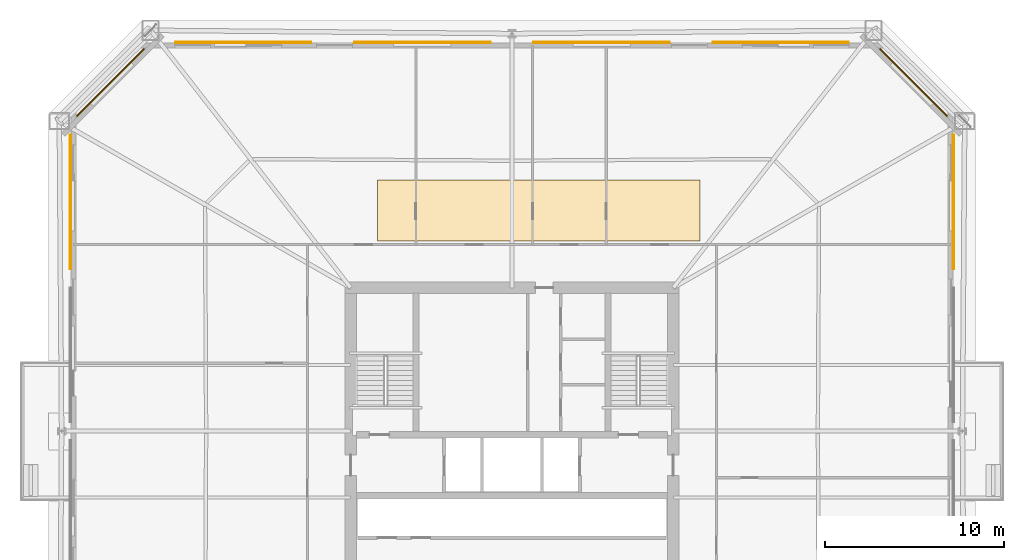
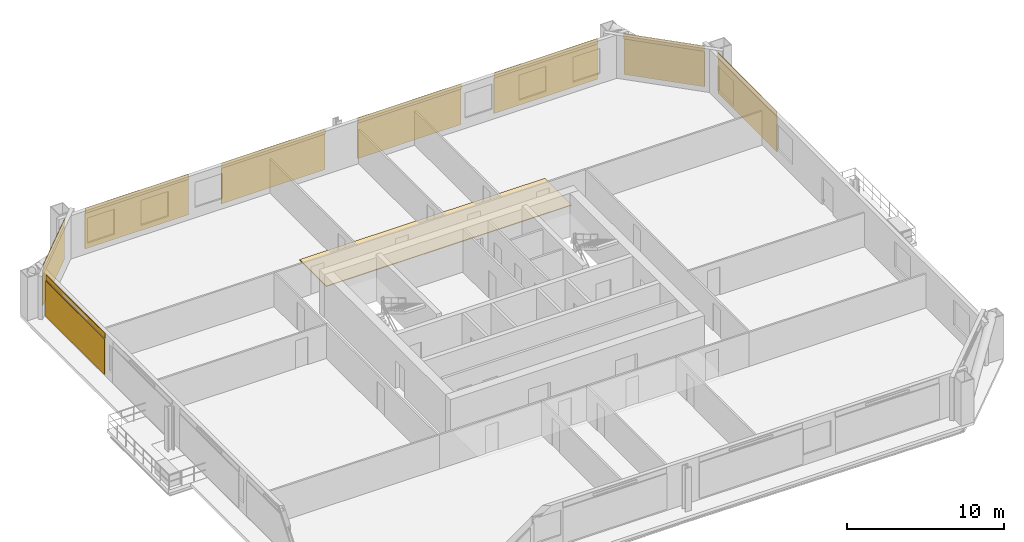
# One storey, part 11 of 11: 9 coverings, 8 shading devices.
"""IFC4 building model written with IfcOpenShell, lengths in metres."""

import ifcopenshell
import ifcopenshell.guid

model = None  # the IFC model being written
_history = None  # IfcOwnerHistory: only IFC2X3 demands one
_inside = {}  # id of a spatial element -> (the spatial element, [elements in it])
_under = {}  # id of a project, library or spatial element -> (it, [spatial elements below it])
_declared = {}  # id of a project -> (the project, [libraries it declares])
_typed = {}  # id of a type object -> (the type object, [elements of that type])
_made_of = {}  # id of a material, layer set ... -> (it, [elements and type objects made of it])


def new_model(schema):
    """Start an empty IFC model of exactly this schema.

    Asked for "IFC4X3", IfcOpenShell would pick the latest addendum, in which some entities
    have other attributes; the version numbers below select the first issue.
    IFC2X3 requires an IfcOwnerHistory on every rooted entity: one is made here for all.
    """
    global model, _history
    if schema == "IFC4X3":
        model = ifcopenshell.file(schema_version=(4, 3, 0, 0))
    else:
        model = ifcopenshell.file(schema=schema)
    _inside.clear()
    _under.clear()
    _declared.clear()
    _typed.clear()
    _made_of.clear()
    _history = None
    if model.schema == "IFC2X3":
        org = make("IfcOrganization", Name="unknown")
        user = make(
            "IfcPersonAndOrganization",
            ThePerson=make("IfcPerson", FamilyName="unknown"),
            TheOrganization=org,
        )
        app = make(
            "IfcApplication",
            ApplicationDeveloper=org,
            Version="unknown",
            ApplicationFullName="unknown",
            ApplicationIdentifier="unknown",
        )
        _history = make(
            "IfcOwnerHistory",
            OwningUser=user,
            OwningApplication=app,
            ChangeAction="ADDED",
            CreationDate=0,
        )
    return model


def make(cls, **values):
    """One entity of the class cls with the attributes given. An attribute that is None is left unset."""
    return model.create_entity(
        cls, **{name: value for name, value in values.items() if value is not None}
    )


def rooted(cls, **values):
    """An entity with a GlobalId (a new one), such as an element, a storey or a relation."""
    return make(cls, GlobalId=ifcopenshell.guid.new(), OwnerHistory=_history, **values)


def si_unit(unit_type, name, prefix=None):
    """IfcSIUnit, for example si_unit("LENGTHUNIT", "METRE", prefix="MILLI")."""
    return make("IfcSIUnit", UnitType=unit_type, Prefix=prefix, Name=name)


def assignment(units):
    """IfcUnitAssignment: the units of a project."""
    return None if units is None else make("IfcUnitAssignment", Units=units)


def point(xyz):
    """IfcCartesianPoint."""
    return None if xyz is None else make("IfcCartesianPoint", Coordinates=xyz)


def direction(xyz):
    """IfcDirection."""
    return None if xyz is None else make("IfcDirection", DirectionRatios=xyz)


def frame(location, z_axis=None, x_axis=None):
    """IfcAxis2Placement3D, a coordinate frame: its origin and axes. An axis left out is left unset."""
    return make(
        "IfcAxis2Placement3D",
        Location=point(location),
        Axis=direction(z_axis),
        RefDirection=direction(x_axis),
    )


def frame_2d(location, x_axis=None):
    """IfcAxis2Placement2D, a coordinate frame in the plane: its origin and x axis."""
    return make(
        "IfcAxis2Placement2D", Location=point(location), RefDirection=direction(x_axis)
    )


def origin():
    """The frame at (0, 0, 0) with its axes left unset."""
    return frame((0.0, 0.0, 0.0))


def origin_2d():
    """The frame at (0, 0) in the plane with its x axis left unset."""
    return frame_2d((0.0, 0.0))


def place(relative_to, where):
    """IfcLocalPlacement: puts the frame where relative to a parent placement (None: the world)."""
    return make(
        "IfcLocalPlacement", PlacementRelTo=relative_to, RelativePlacement=where
    )


def context(
    kind, dimensions, precision=None, world=None, true_north=None, identifier=None
):
    """IfcGeometricRepresentationContext, for example the 3D "Model" context."""
    return make(
        "IfcGeometricRepresentationContext",
        ContextIdentifier=identifier,
        ContextType=kind,
        CoordinateSpaceDimension=dimensions,
        Precision=precision,
        WorldCoordinateSystem=world,
        TrueNorth=true_north,
    )


def subcontext(parent, identifier, kind, view, scale=None):
    """IfcGeometricRepresentationSubContext, for example "Body" below "Model"."""
    return make(
        "IfcGeometricRepresentationSubContext",
        ContextIdentifier=identifier,
        ContextType=kind,
        ParentContext=parent,
        TargetScale=scale,
        TargetView=view,
    )


def project(units=None, contexts=None):
    """IfcProject with its units and contexts."""
    return rooted(
        "IfcProject",
        Name="project",
        RepresentationContexts=contexts,
        UnitsInContext=assignment(units),
    )


def spatial(cls, under=None, at=None, **own):
    """A site, building, storey or space (cls), placed at a placement, below another one or the project."""
    s = rooted(cls, ObjectPlacement=at, **own)
    if under is not None:
        _under.setdefault(under.id(), (under, []))[1].append(s)
    return s


def polyline(points):
    """IfcPolyline through the points."""
    return make("IfcPolyline", Points=[point(p) for p in points])


def profile(cls, at=None, kind="AREA", **sizes):
    """A parametric profile (cls). Its sizes go by their IFC names, for example OverallWidth=200.0."""
    return make(cls, ProfileType=kind, Position=at, **sizes)


def rectangle(**sizes):
    """IfcRectangleProfileDef."""
    return profile("IfcRectangleProfileDef", **sizes)


def outline(outer, holes=None, kind="AREA"):
    """IfcArbitraryClosedProfileDef: a profile drawn as a closed curve; with holes, ...WithVoids."""
    if holes is None:
        return make("IfcArbitraryClosedProfileDef", ProfileType=kind, OuterCurve=outer)
    return make(
        "IfcArbitraryProfileDefWithVoids",
        ProfileType=kind,
        OuterCurve=outer,
        InnerCurves=holes,
    )


def extrude(swept, where, along, depth):
    """IfcExtrudedAreaSolid: the profile swept, set in the frame where, extruded along a direction by depth."""
    return make(
        "IfcExtrudedAreaSolid",
        SweptArea=swept,
        Position=where,
        ExtrudedDirection=direction(along),
        Depth=depth,
    )


def shape(context_of_items, identifier, shape_type, items):
    """IfcShapeRepresentation: the items that make up one representation, for example the "Body"."""
    return make(
        "IfcShapeRepresentation",
        ContextOfItems=context_of_items,
        RepresentationIdentifier=identifier,
        RepresentationType=shape_type,
        Items=items,
    )


def material(Name=None, Category=None):
    """IfcMaterial."""
    return make("IfcMaterial", Name=Name, Category=Category)


def layer(
    of_material, thickness, ventilated=None, Name=None, Category=None, Priority=None
):
    """IfcMaterialLayer: one layer of a wall or slab, of a material (None: an air gap)."""
    return make(
        "IfcMaterialLayer",
        Material=of_material,
        LayerThickness=thickness,
        IsVentilated=ventilated,
        Name=Name,
        Category=Category,
        Priority=Priority,
    )


def layer_set(layers, Name=None):
    """IfcMaterialLayerSet."""
    return make("IfcMaterialLayerSet", MaterialLayers=layers, LayerSetName=Name)


def made_of(thing, what):
    """Note that an element or type object is made of a material, layer set ...; save() writes the relation."""
    if what is not None:
        _made_of.setdefault(what.id(), (what, []))[1].append(thing)
    return thing


def type_object(cls, material=None, **own):
    """A type object (cls), such as IfcWallType, which elements share."""
    return made_of(rooted(cls, **own), material)


def element(
    cls,
    number,
    at=None,
    inside=None,
    cuts=None,
    type_object=None,
    material=None,
    context=None,
    identifier="Body",
    shape_type=None,
    held_by="IfcProductDefinitionShape",
    body=None,
    shapes=None,
    **own,
):
    """One element of the class cls, such as IfcWall. Its Tag is "e" and its number.

    at: its placement. inside: the storey or other place that contains it. cuts: it is an
    opening in that element (IfcRelVoidsElement). A single representation is given by context,
    identifier, shape_type and body (its items); several are given by shapes. held_by: the class
    of the entity that holds the representations. save() writes the other relations.
    """
    e = rooted(cls, Tag="e%d" % number, ObjectPlacement=at, **own)
    if body is not None:
        shapes = [shape(context, identifier, shape_type, body)]
    if shapes is not None:
        e.Representation = make(held_by, Representations=shapes)
    if inside is not None:
        _inside.setdefault(inside.id(), (inside, []))[1].append(e)
    if cuts is not None:
        rooted(
            "IfcRelVoidsElement", RelatingBuildingElement=cuts, RelatedOpeningElement=e
        )
    if type_object is not None:
        _typed.setdefault(type_object.id(), (type_object, []))[1].append(e)
    return made_of(e, material)


def aggregate(whole, parts):
    """IfcRelAggregates: a whole, such as a stair, and the parts it consists of."""
    return rooted("IfcRelAggregates", RelatingObject=whole, RelatedObjects=parts)


def save(model, path):
    """Write the relations noted so far, then the file.

    IfcRelAggregates (storeys below a building ...), IfcRelContainedInSpatialStructure (elements
    in a storey), IfcRelDefinesByType, IfcRelAssociatesMaterial and IfcRelDeclares: one each for
    every whole, place, type object, material and project.
    """
    for whole, parts in _under.values():
        aggregate(whole, parts)
    for where, things in _inside.values():
        rooted(
            "IfcRelContainedInSpatialStructure",
            RelatedElements=things,
            RelatingStructure=where,
        )
    for kind, things in _typed.values():
        rooted("IfcRelDefinesByType", RelatedObjects=things, RelatingType=kind)
    for what, things in _made_of.values():
        rooted("IfcRelAssociatesMaterial", RelatedObjects=things, RelatingMaterial=what)
    for by, libraries in _declared.values():
        rooted("IfcRelDeclares", RelatingContext=by, RelatedDefinitions=libraries)
    model.write(path)


model = new_model("IFC4")

# Units and contexts
model_context = context("Model", 3, precision=1e-05, world=origin(), true_north=direction((0.0, 1.0)))
body_context = subcontext(model_context, "Body", "Model", "MODEL_VIEW")
ifc_project = project(units=[si_unit("LENGTHUNIT", "METRE"), si_unit("AREAUNIT", "SQUARE_METRE"), si_unit("VOLUMEUNIT", "CUBIC_METRE"), si_unit("PLANEANGLEUNIT", "RADIAN"), si_unit("MASSUNIT", "GRAM", prefix="KILO")], contexts=[model_context])

# Site, building, storey
site_placement = place(None, origin())
site = spatial("IfcSite", under=ifc_project, at=site_placement, CompositionType="ELEMENT")
building_placement = place(site_placement, origin())
building = spatial("IfcBuilding", under=site, at=building_placement, Name="Caelvoria Tower", CompositionType="ELEMENT")
storey_placement = place(building_placement, frame((0.0, 0.0, 64.0)))
storey = spatial("IfcBuildingStorey", under=building, at=storey_placement, Name="L16", CompositionType="ELEMENT", Elevation=64.0)

# Coverings
ifc_material_1 = material(Name="Perforated Architectural Bronze Cladding Screen", Category="bronze")
ifc_layer_1 = layer(ifc_material_1, 0.0400390625, Name="Perforated Architectural Bronze Cladding Screen")
ifc_layer_set_1 = layer_set([ifc_layer_1], Name="Perforated Bronze Louvre Cladding Band 40 - Perforated Architectural Bronze Cladding Screen")
covering_type_1 = type_object("IfcCoveringType", Name="Perforated Bronze Louvre Cladding Band 40", PredefinedType="CLADDING", material=ifc_layer_set_1)
covering_1_placement = place(storey_placement, frame((70.6220703125, 44.780029296875, 2.93994140625), z_axis=(0.0, 0.0, 1.0), x_axis=(0.0, 1.0, 0.0)))
element("IfcCovering", 1, at=covering_1_placement, inside=storey, type_object=covering_type_1, Name="Perforated Bronze Screen Band L16-E2-03", PredefinedType="CLADDING", context=body_context, shape_type="SweptSolid", body=[
    extrude(rectangle(XDim=7.49755859375, YDim=0.0400390625, at=origin_2d()), origin(), (0.0, 0.0, 1.0), 0.39990234375),
])
covering_2_placement = place(storey_placement, frame((68.381591796875, 51.431640625, 2.93994140625), z_axis=(0.0, 0.0, 1.0), x_axis=(-0.707106781187, 0.707106781187, 0.0)))
element("IfcCovering", 2, at=covering_2_placement, inside=storey, type_object=covering_type_1, Name="Perforated Bronze Screen Band L16-E3-00", PredefinedType="CLADDING", context=body_context, shape_type="SweptSolid", body=[
    extrude(rectangle(XDim=5.309814453125, YDim=0.0400390625, at=origin_2d()), origin(), (0.0, 0.0, 1.0), 0.39990234375),
])
for number, where, z_axis, x_axis, name in (
    (3, (60.992431640625, 53.672119140625, 2.93994140625), (0.0, 0.0, 1.0), (-1.0, 0.0, 0.0), "Perforated Bronze Screen Band L16-E4-00"),
    (4, (50.99755859375, 53.672119140625, 2.93994140625), (0.0, 0.0, 1.0), (-1.0, 0.0, 0.0), "Perforated Bronze Screen Band L16-E4-01"),
    (5, (41.00244140625, 53.672119140625, 2.93994140625), (0.0, 0.0, 1.0), (-1.0, 0.0, 0.0), "Perforated Bronze Screen Band L16-E4-02"),
    (6, (31.007568359375, 53.672119140625, 2.93994140625), (0.0, 0.0, 1.0), (-1.0, 0.0, 0.0), "Perforated Bronze Screen Band L16-E4-03"),
):
    element("IfcCovering", number, at=place(storey_placement, frame(where, z_axis=z_axis, x_axis=x_axis)), inside=storey, type_object=covering_type_1, Name=name, PredefinedType="CLADDING", context=body_context, shape_type="SweptSolid", body=[
        extrude(rectangle(XDim=7.60009765625, YDim=0.0400390625, at=origin_2d()), origin(), (0.0, 0.0, 1.0), 0.39990234375),
    ])
covering_3_placement = place(storey_placement, frame((23.618408203125, 51.431640625, 2.93994140625), z_axis=(0.0, 0.0, 1.0), x_axis=(-0.707106781187, -0.707106781187, 0.0)))
element("IfcCovering", 7, at=covering_3_placement, inside=storey, type_object=covering_type_1, Name="Perforated Bronze Screen Band L16-E5-00", PredefinedType="CLADDING", context=body_context, shape_type="SweptSolid", body=[
    extrude(rectangle(XDim=5.309814453125, YDim=0.0400390625, at=origin_2d()), origin(), (0.0, 0.0, 1.0), 0.39990234375),
])
covering_4_placement = place(storey_placement, frame((21.3779296875, 44.780029296875, 2.93994140625), z_axis=(0.0, 0.0, 1.0), x_axis=(0.0, -1.0, 0.0)))
element("IfcCovering", 8, at=covering_4_placement, inside=storey, type_object=covering_type_1, Name="Perforated Bronze Screen Band L16-E6-00", PredefinedType="CLADDING", context=body_context, shape_type="SweptSolid", body=[
    extrude(rectangle(XDim=7.49755859375, YDim=0.0400390625, at=origin_2d()), origin(), (0.0, 0.0, 1.0), 0.39990234375),
])

# Shading devices
ifc_material_2 = material(Name="Perforated Architectural Bronze Alloy Panel", Category="bronze")
ifc_layer_2 = layer(ifc_material_2, 0.044921875, Name="Perforated Architectural Bronze Alloy Panel")
ifc_layer_set_2 = layer_set([ifc_layer_2], Name="Perforated Bronze Solar Screen Panel SCREEN - Perforated Architectural Bronze Alloy Panel")
shading_device_type = type_object("IfcShadingDeviceType", Name="Perforated Bronze Solar Screen Panel SCREEN", PredefinedType="USERDEFINED", material=ifc_layer_set_2)
shading_device_1_placement = place(storey_placement, frame((70.6650390625, 44.780029296875, 0.159912109375), z_axis=(0.0, 0.0, 1.0), x_axis=(0.0, 1.0, 0.0)))
element("IfcShadingDevice", 9, at=shading_device_1_placement, inside=storey, type_object=shading_device_type, Name="Perforated Bronze Solar Screen L16-E2-03", ObjectType="SCREEN", PredefinedType="USERDEFINED", context=body_context, shape_type="SweptSolid", body=[
    extrude(rectangle(XDim=7.49755859375, YDim=0.044921875, at=origin_2d()), origin(), (0.0, 0.0, 1.0), 2.75),
])
shading_device_2_placement = place(storey_placement, frame((68.412109375, 51.462158203125, 0.159912109375), z_axis=(0.0, 0.0, 1.0), x_axis=(-0.707106781187, 0.707106781187, 0.0)))
element("IfcShadingDevice", 10, at=shading_device_2_placement, inside=storey, type_object=shading_device_type, Name="Perforated Bronze Solar Screen L16-E3-00", ObjectType="SCREEN", PredefinedType="USERDEFINED", context=body_context, shape_type="SweptSolid", body=[
    extrude(rectangle(XDim=5.309814453125, YDim=0.044921875, at=origin_2d()), origin(), (0.0, 0.0, 1.0), 2.75),
])
for number, where, z_axis, x_axis, name in (
    (11, (60.992431640625, 53.715087890625, 0.159912109375), (0.0, 0.0, 1.0), (-1.0, 0.0, 0.0), "Perforated Bronze Solar Screen L16-E4-00"),
    (12, (50.99755859375, 53.715087890625, 0.159912109375), (0.0, 0.0, 1.0), (-1.0, 0.0, 0.0), "Perforated Bronze Solar Screen L16-E4-01"),
    (13, (41.00244140625, 53.715087890625, 0.159912109375), (0.0, 0.0, 1.0), (-1.0, 0.0, 0.0), "Perforated Bronze Solar Screen L16-E4-02"),
    (14, (31.007568359375, 53.715087890625, 0.159912109375), (0.0, 0.0, 1.0), (-1.0, 0.0, 0.0), "Perforated Bronze Solar Screen L16-E4-03"),
):
    element("IfcShadingDevice", number, at=place(storey_placement, frame(where, z_axis=z_axis, x_axis=x_axis)), inside=storey, type_object=shading_device_type, Name=name, ObjectType="SCREEN", PredefinedType="USERDEFINED", context=body_context, shape_type="SweptSolid", body=[
        extrude(rectangle(XDim=7.60009765625, YDim=0.044921875, at=origin_2d()), origin(), (0.0, 0.0, 1.0), 2.75),
    ])
shading_device_3_placement = place(storey_placement, frame((23.587890625, 51.462158203125, 0.159912109375), z_axis=(0.0, 0.0, 1.0), x_axis=(-0.707106781187, -0.707106781187, 0.0)))
element("IfcShadingDevice", 15, at=shading_device_3_placement, inside=storey, type_object=shading_device_type, Name="Perforated Bronze Solar Screen L16-E5-00", ObjectType="SCREEN", PredefinedType="USERDEFINED", context=body_context, shape_type="SweptSolid", body=[
    extrude(rectangle(XDim=5.309814453125, YDim=0.044921875, at=origin_2d()), origin(), (0.0, 0.0, 1.0), 2.75),
])
shading_device_4_placement = place(storey_placement, frame((21.3349609375, 44.780029296875, 0.159912109375), z_axis=(0.0, 0.0, 1.0), x_axis=(0.0, -1.0, 0.0)))
element("IfcShadingDevice", 16, at=shading_device_4_placement, inside=storey, type_object=shading_device_type, Name="Perforated Bronze Solar Screen L16-E6-00", ObjectType="SCREEN", PredefinedType="USERDEFINED", context=body_context, shape_type="SweptSolid", body=[
    extrude(rectangle(XDim=7.49755859375, YDim=0.044921875, at=origin_2d()), origin(), (0.0, 0.0, 1.0), 2.75),
])

# Covering
ifc_material_3 = material(Name="Calcium-Sulphate Raised Floor Tile", Category="gypsum")
ifc_layer_3 = layer(ifc_material_3, 0.06005859375, Name="Calcium-Sulphate Raised Floor Tile")
ifc_layer_set_3 = layer_set([ifc_layer_3], Name="Raised Access Office Floor System 120 - Calcium-Sulphate Raised Floor Tile")
covering_type_2 = type_object("IfcCoveringType", Name="Raised Access Office Floor System 120", PredefinedType="FLOORING", material=ifc_layer_set_3)
covering_5_placement = place(storey_placement, origin())
element("IfcCovering", 17, at=covering_5_placement, inside=storey, type_object=covering_type_2, Name="Raised Access Flooring L16", PredefinedType="FLOORING", context=body_context, shape_type="SweptSolid", body=[
    extrude(outline(polyline([(38.5, 42.60009765625), (56.5, 42.60009765625), (56.5, 46.0), (38.5, 46.0), (38.5, 42.60009765625)])), origin(), (0.0, 0.0, 1.0), 0.06005859375),
])

save(model, "model.ifc")
